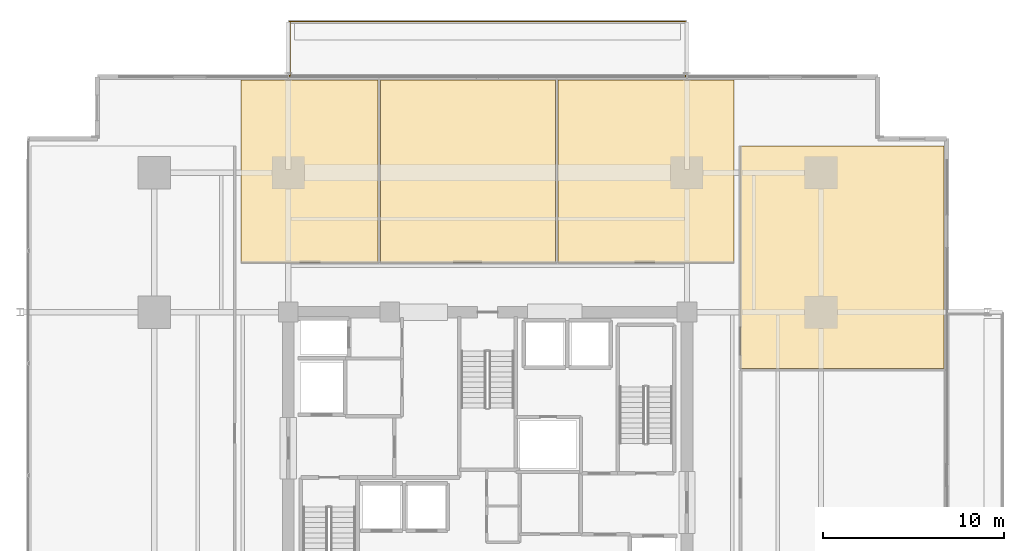
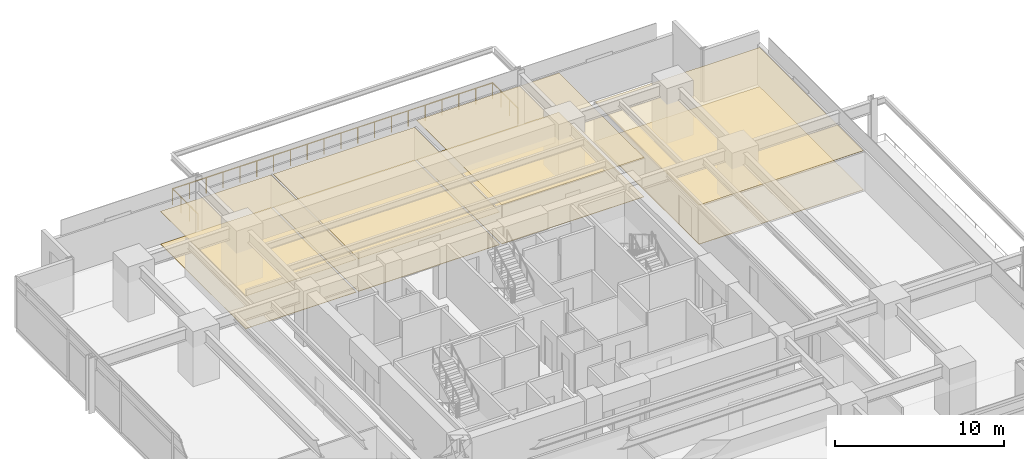
# One storey, part 22 of 22: 8 coverings, 1 railing.
"""IFC4 building model written with IfcOpenShell, lengths in metres."""

from ifc_helpers import new_model, si_unit, direction, frame, origin, origin_2d, place, context, subcontext, project, spatial, polyline, circle, outline, extrude, material, layer, layer_set, type_object, element, save


model = new_model("IFC4")

# Units and contexts
model_context = context("Model", 3, precision=1e-05, world=origin(), true_north=direction((0.0, 1.0)))
body_context = subcontext(model_context, "Body", "Model", "MODEL_VIEW")
ifc_project = project(units=[si_unit("LENGTHUNIT", "METRE"), si_unit("AREAUNIT", "SQUARE_METRE"), si_unit("VOLUMEUNIT", "CUBIC_METRE"), si_unit("PLANEANGLEUNIT", "RADIAN"), si_unit("MASSUNIT", "GRAM", prefix="KILO")], contexts=[model_context])

# Site, building, storey
site_placement = place(None, origin())
site = spatial("IfcSite", under=ifc_project, at=site_placement, CompositionType="ELEMENT")
building_placement = place(site_placement, origin())
building = spatial("IfcBuilding", under=site, at=building_placement, Name="Kovane Verandah Tower", CompositionType="ELEMENT")
storey_placement = place(building_placement, frame((0.0, 0.0, 43.60009765625)))
storey = spatial("IfcBuildingStorey", under=building, at=storey_placement, Name="L09", CompositionType="ELEMENT", Elevation=43.60009765625)

# Coverings
ifc_material_1 = material(Name="Perforated Acoustic Mineral-Fibre Ceiling Tile", Category="gypsum")
ifc_layer_1 = layer(ifc_material_1, 0.02490234375)
ifc_layer_set_1 = layer_set([ifc_layer_1], Name="Perforated Acoustic Mineral-Fibre Ceiling Tile")
covering_type_1 = type_object("IfcCoveringType", Name="CV-CEIL-25", PredefinedType="CEILING", material=ifc_layer_set_1)
covering_1_placement = place(storey_placement, frame((0.0, 0.0, 2.364990234375)))
element("IfcCovering", 1, at=covering_1_placement, inside=storey, type_object=covering_type_1, Name="L09 Executive Office N1 Acoustic Ceiling", PredefinedType="CEILING", context=body_context, shape_type="SweptSolid", body=[
    extrude(outline(polyline([(26.39990234375, 39.25), (33.946044921875, 39.25), (33.946044921875, 49.322998046875), (26.39990234375, 49.322998046875), (26.39990234375, 39.25)])), origin(), (0.0, 0.0, 1.0), 0.02490234375),
])
covering_2_placement = place(storey_placement, frame((0.0, 0.0, 2.364990234375)))
element("IfcCovering", 2, at=covering_2_placement, inside=storey, type_object=covering_type_1, Name="L09 Client Boardroom N2 Acoustic Ceiling", PredefinedType="CEILING", context=body_context, shape_type="SweptSolid", body=[
    extrude(outline(polyline([(34.0859375, 39.25), (43.738037109375, 39.25), (43.738037109375, 49.322998046875), (34.0859375, 49.322998046875), (34.0859375, 39.25)])), origin(), (0.0, 0.0, 1.0), 0.02490234375),
])
covering_3_placement = place(storey_placement, frame((0.0, 0.0, 2.824951171875)))
element("IfcCovering", 3, at=covering_3_placement, inside=storey, type_object=covering_type_1, Name="L09 Meeting Room N3 Acoustic Ceiling", PredefinedType="CEILING", context=body_context, shape_type="SweptSolid", body=[
    extrude(outline(polyline([(43.8779296875, 39.25), (53.60009765625, 39.25), (53.60009765625, 49.322998046875), (43.8779296875, 49.322998046875), (43.8779296875, 39.25)])), origin(), (0.0, 0.0, 1.0), 0.02490234375),
])
covering_4_placement = place(storey_placement, frame((0.0, 0.0, 2.824951171875)))
element("IfcCovering", 4, at=covering_4_placement, inside=storey, type_object=covering_type_1, Name="L09 Client Boardroom E3 Acoustic Ceiling", PredefinedType="CEILING", context=body_context, shape_type="SweptSolid", body=[
    extrude(outline(polyline([(53.949951171875, 33.385498046875), (65.18310546875, 33.385498046875), (65.18310546875, 45.673095703125), (53.949951171875, 45.673095703125), (53.949951171875, 33.385498046875)])), origin(), (0.0, 0.0, 1.0), 0.02490234375),
])
ifc_material_2 = material(Name="Polished Terrazzo and Raised-Access Carpet Tile Finish", Category="concrete")
ifc_layer_2 = layer(ifc_material_2, 0.030029296875)
ifc_layer_set_2 = layer_set([ifc_layer_2], Name="Polished Terrazzo and Raised-Access Carpet Tile Finish")
covering_type_2 = type_object("IfcCoveringType", Name="CV-FLOR-30", PredefinedType="FLOORING", material=ifc_layer_set_2)
covering_5_placement = place(storey_placement, origin())
element("IfcCovering", 5, at=covering_5_placement, inside=storey, type_object=covering_type_2, Name="L09 Executive Office N1 Floor Finish", PredefinedType="FLOORING", context=body_context, shape_type="SweptSolid", body=[
    extrude(outline(polyline([(26.39990234375, 39.25), (33.946044921875, 39.25), (33.946044921875, 49.322998046875), (26.39990234375, 49.322998046875), (26.39990234375, 39.25)])), origin(), (0.0, 0.0, 1.0), 0.02978515625),
])
covering_6_placement = place(storey_placement, origin())
element("IfcCovering", 6, at=covering_6_placement, inside=storey, type_object=covering_type_2, Name="L09 Client Boardroom N2 Floor Finish", PredefinedType="FLOORING", context=body_context, shape_type="SweptSolid", body=[
    extrude(outline(polyline([(34.0859375, 39.25), (43.738037109375, 39.25), (43.738037109375, 49.322998046875), (34.0859375, 49.322998046875), (34.0859375, 39.25)])), origin(), (0.0, 0.0, 1.0), 0.02978515625),
])
covering_7_placement = place(storey_placement, origin())
element("IfcCovering", 7, at=covering_7_placement, inside=storey, type_object=covering_type_2, Name="L09 Meeting Room N3 Floor Finish", PredefinedType="FLOORING", context=body_context, shape_type="SweptSolid", body=[
    extrude(outline(polyline([(43.8779296875, 39.25), (53.60009765625, 39.25), (53.60009765625, 49.322998046875), (43.8779296875, 49.322998046875), (43.8779296875, 39.25)])), origin(), (0.0, 0.0, 1.0), 0.02978515625),
])
covering_8_placement = place(storey_placement, origin())
element("IfcCovering", 8, at=covering_8_placement, inside=storey, type_object=covering_type_2, Name="L09 Client Boardroom E3 Floor Finish", PredefinedType="FLOORING", context=body_context, shape_type="SweptSolid", body=[
    extrude(outline(polyline([(53.949951171875, 33.385498046875), (65.18310546875, 33.385498046875), (65.18310546875, 45.673095703125), (53.949951171875, 45.673095703125), (53.949951171875, 33.385498046875)])), origin(), (0.0, 0.0, 1.0), 0.02978515625),
])

# Railing
ifc_material_3 = material(Name="Laminated Glass and Pale-Champagne Stainless Balustrade", Category="glass")
railing_type = type_object("IfcRailingType", Name="RL-BAL-1150", PredefinedType="BALUSTRADE", material=ifc_material_3)
railing_placement = place(storey_placement, frame((29.080078125, 49.523193359375, 0.0)))
element("IfcRailing", 9, at=railing_placement, inside=storey, type_object=railing_type, Name="L09 N Verandah Glass Balustrade", PredefinedType="BALUSTRADE", context=body_context, shape_type="SweptSolid", body=[
    extrude(circle(Radius=0.02392578125, at=origin_2d()), frame((0.0, 0.0, 1.1259765625), z_axis=(0.0, 1.0, 0.0), x_axis=(-1.0, 0.0, 0.0)), (0.0, 0.0, 1.0), 3.02001953125),
    extrude(circle(Radius=0.02392578125, at=origin_2d()), frame((0.0, 3.02001953125, 1.1259765625), z_axis=(1.0, 0.0, 0.0), x_axis=(0.0, 1.0, 0.0)), (0.0, 0.0, 1.0), 21.83984375),
    extrude(circle(Radius=0.02392578125, at=origin_2d()), frame((21.83984375, 3.02001953125, 1.1259765625), z_axis=(0.0, -1.0, 0.0), x_axis=(1.0, 0.0, 0.0)), (0.0, 0.0, 1.0), 3.02001953125),
    extrude(circle(Radius=0.02099609375, at=origin_2d()), origin(), (0.0, 0.0, 1.0), 1.101806640625),
    extrude(circle(Radius=0.02099609375, at=origin_2d()), frame((0.0, 1.006591796875, 0.0)), (0.0, 0.0, 1.0), 1.101806640625),
    extrude(circle(Radius=0.02099609375, at=origin_2d()), frame((0.0, 2.013427734375, 0.0)), (0.0, 0.0, 1.0), 1.101806640625),
    extrude(circle(Radius=0.02099609375, at=origin_2d()), frame((0.0, 3.02001953125, 0.0)), (0.0, 0.0, 1.0), 1.101806640625),
    extrude(circle(Radius=0.02099609375, at=origin_2d()), frame((1.1494140625, 3.02001953125, 0.0)), (0.0, 0.0, 1.0), 1.101806640625),
    extrude(circle(Radius=0.02099609375, at=origin_2d()), frame((2.298828125, 3.02001953125, 0.0)), (0.0, 0.0, 1.0), 1.101806640625),
    extrude(circle(Radius=0.02099609375, at=origin_2d()), frame((3.448486328125, 3.02001953125, 0.0)), (0.0, 0.0, 1.0), 1.101806640625),
    extrude(circle(Radius=0.02099609375, at=origin_2d()), frame((4.597900390625, 3.02001953125, 0.0)), (0.0, 0.0, 1.0), 1.101806640625),
    extrude(circle(Radius=0.02099609375, at=origin_2d()), frame((5.747314453125, 3.02001953125, 0.0)), (0.0, 0.0, 1.0), 1.101806640625),
    extrude(circle(Radius=0.02099609375, at=origin_2d()), frame((6.896728515625, 3.02001953125, 0.0)), (0.0, 0.0, 1.0), 1.101806640625),
    extrude(circle(Radius=0.02099609375, at=origin_2d()), frame((8.046142578125, 3.02001953125, 0.0)), (0.0, 0.0, 1.0), 1.101806640625),
    extrude(circle(Radius=0.02099609375, at=origin_2d()), frame((9.19580078125, 3.02001953125, 0.0)), (0.0, 0.0, 1.0), 1.101806640625),
    extrude(circle(Radius=0.02099609375, at=origin_2d()), frame((10.34521484375, 3.02001953125, 0.0)), (0.0, 0.0, 1.0), 1.101806640625),
    extrude(circle(Radius=0.02099609375, at=origin_2d()), frame((11.49462890625, 3.02001953125, 0.0)), (0.0, 0.0, 1.0), 1.101806640625),
    extrude(circle(Radius=0.02099609375, at=origin_2d()), frame((12.64404296875, 3.02001953125, 0.0)), (0.0, 0.0, 1.0), 1.101806640625),
    extrude(circle(Radius=0.02099609375, at=origin_2d()), frame((13.793701171875, 3.02001953125, 0.0)), (0.0, 0.0, 1.0), 1.101806640625),
    extrude(circle(Radius=0.02099609375, at=origin_2d()), frame((14.943115234375, 3.02001953125, 0.0)), (0.0, 0.0, 1.0), 1.101806640625),
    extrude(circle(Radius=0.02099609375, at=origin_2d()), frame((16.092529296875, 3.02001953125, 0.0)), (0.0, 0.0, 1.0), 1.101806640625),
    extrude(circle(Radius=0.02099609375, at=origin_2d()), frame((17.241943359375, 3.02001953125, 0.0)), (0.0, 0.0, 1.0), 1.101806640625),
    extrude(circle(Radius=0.02099609375, at=origin_2d()), frame((18.391357421875, 3.02001953125, 0.0)), (0.0, 0.0, 1.0), 1.101806640625),
    extrude(circle(Radius=0.02099609375, at=origin_2d()), frame((19.541015625, 3.02001953125, 0.0)), (0.0, 0.0, 1.0), 1.101806640625),
    extrude(circle(Radius=0.02099609375, at=origin_2d()), frame((20.6904296875, 3.02001953125, 0.0)), (0.0, 0.0, 1.0), 1.101806640625),
    extrude(circle(Radius=0.02099609375, at=origin_2d()), frame((21.83984375, 3.02001953125, 0.0)), (0.0, 0.0, 1.0), 1.101806640625),
    extrude(circle(Radius=0.02099609375, at=origin_2d()), frame((21.83984375, 2.013427734375, 0.0)), (0.0, 0.0, 1.0), 1.101806640625),
    extrude(circle(Radius=0.02099609375, at=origin_2d()), frame((21.83984375, 1.006591796875, 0.0)), (0.0, 0.0, 1.0), 1.101806640625),
    extrude(circle(Radius=0.02099609375, at=origin_2d()), frame((21.83984375, 0.0, 0.0)), (0.0, 0.0, 1.0), 1.101806640625),
])

save(model, "model.ifc")
